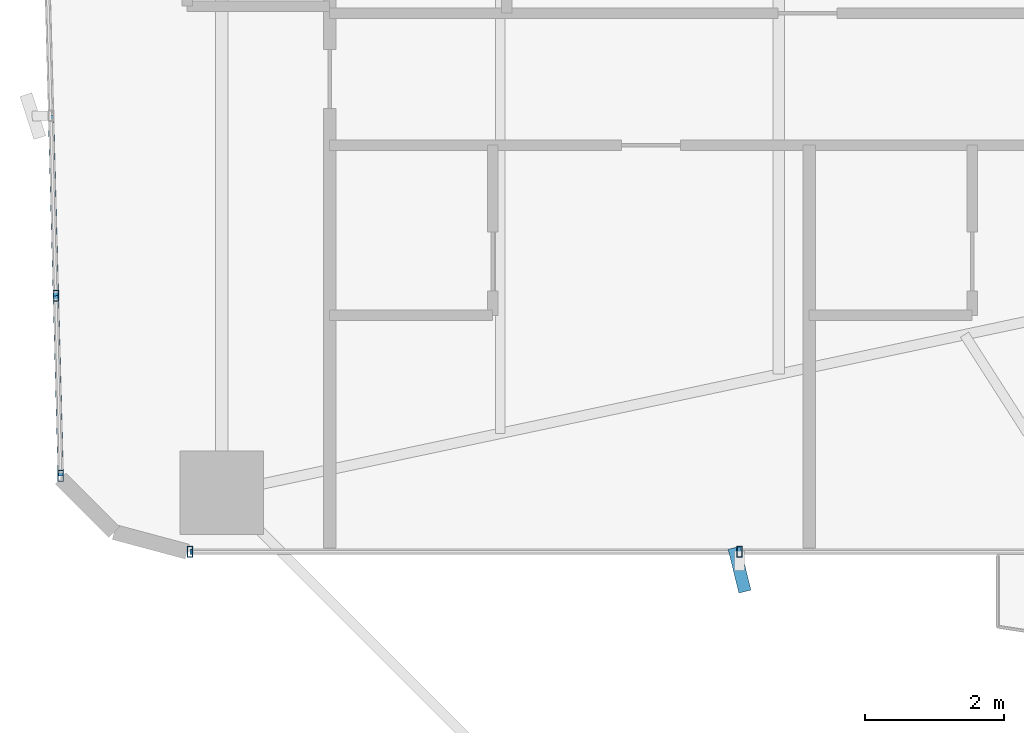
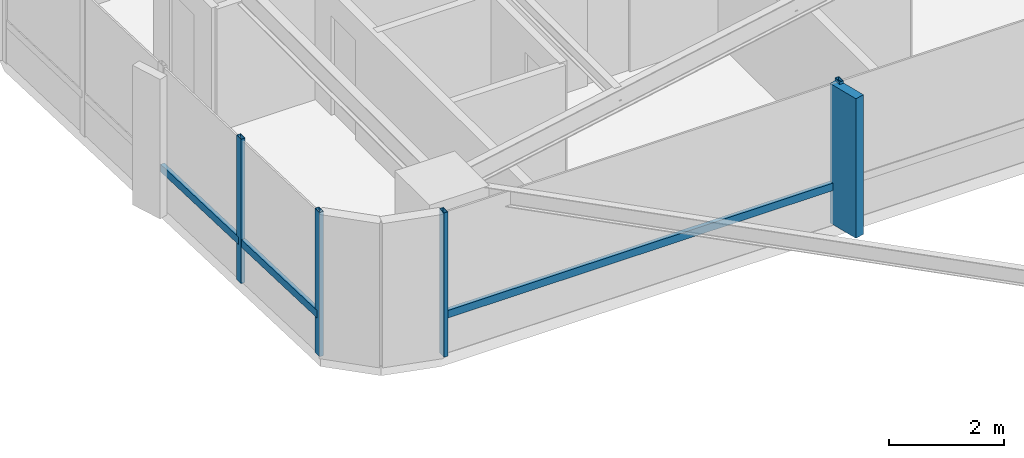
# One storey, part 6 of 26: 8 members, 2 elements without a shape of their own.
"""IFC4 building model written with IfcOpenShell, lengths in metres."""

from ifc_helpers import new_model, si_unit, direction, frame, origin, origin_2d, place, context, subcontext, project, spatial, rectangle, hollow_rectangle, extrude, source, transform, mapped, material, material_profile, profile_set, type_object, element, aggregate, save


model = new_model("IFC4")

# Units and contexts
model_context = context("Model", 3, precision=1e-05, world=origin(), true_north=direction((0.0, 1.0)))
body_context = subcontext(model_context, "Body", "Model", "MODEL_VIEW")
ifc_project = project(units=[si_unit("LENGTHUNIT", "METRE"), si_unit("AREAUNIT", "SQUARE_METRE"), si_unit("VOLUMEUNIT", "CUBIC_METRE"), si_unit("PLANEANGLEUNIT", "RADIAN"), si_unit("MASSUNIT", "GRAM", prefix="KILO")], contexts=[model_context])

# Site, building, storey
site_placement = place(None, origin())
site = spatial("IfcSite", under=ifc_project, at=site_placement, CompositionType="ELEMENT")
building_placement = place(site_placement, origin())
building = spatial("IfcBuilding", under=site, at=building_placement, Name="Sahyath Konkavel Grand Hotel", CompositionType="ELEMENT")
storey_placement = place(building_placement, frame((0.0, 0.0, 43.199951171875)))
storey = spatial("IfcBuildingStorey", under=building, at=storey_placement, Name="L11", CompositionType="ELEMENT", Elevation=43.199951171875)

# Curtain wall, member
ifc_material_1 = material(Name="Anodised Bronze Aluminium & Low-E Glazing", Category="aluminium")
curtain_wall_type = type_object("IfcCurtainWallType", Name="CW-ZONE1", PredefinedType="NOTDEFINED", material=ifc_material_1)
curtain_wall_1_placement = place(storey_placement, origin())
curtain_wall_1 = element("IfcCurtainWall", 1, at=curtain_wall_1_placement, inside=storey, type_object=curtain_wall_type, Name="L11 Unitised Curtain Wall F23", PredefinedType="NOTDEFINED")
ifc_material_2 = material(Name="Anodised Bronze Aluminium", Category="aluminium")
ifc_material_profile_1 = material_profile(ifc_material_2, hollow_rectangle(XDim=0.080078125, YDim=0.159912109375, WallThickness=0.006103515625, at=origin_2d()), Name="RHS 160x80x6")
ifc_profile_set_1 = profile_set([ifc_material_profile_1], Name="Anodised Bronze Aluminium")
member_type_1 = type_object("IfcMemberType", Name="CW-TRN-160", PredefinedType="USERDEFINED", material=ifc_profile_set_1)
shared_shape_1 = source(origin(), body_context, "Body", "SweptSolid", [
    extrude(hollow_rectangle(XDim=0.080078125, YDim=0.159912109375, WallThickness=0.006103515625, at=origin_2d()), origin(), (0.0, 0.0, 1.0), 7.909912109375),
])
member_1_placement = place(storey_placement, frame((-22.659912109375, -6.800048828125, 0.85009765625), z_axis=(1.0, 0.0, 0.0), x_axis=(0.0, 1.0, 0.0)))
member_1 = element("IfcMember", 2, at=member_1_placement, type_object=member_type_1, Name="L11 Curtain Wall Transom F23-0-spandrel", ObjectType="TRANSOM", PredefinedType="USERDEFINED", context=body_context, shape_type="MappedRepresentation", body=[
    mapped(shared_shape_1, transform((0.0, 0.0, 0.0), scale=1.0)),
])

# Curtain wall, members
curtain_wall_2_placement = place(storey_placement, origin())
curtain_wall_2 = element("IfcCurtainWall", 3, at=curtain_wall_2_placement, inside=storey, type_object=curtain_wall_type, Name="L11 Unitised Curtain Wall F20", PredefinedType="NOTDEFINED")
shared_shape_2 = source(origin(), body_context, "Body", "SweptSolid", [
    extrude(hollow_rectangle(XDim=0.080078125, YDim=0.159912109375, WallThickness=0.006103515625, at=origin_2d()), origin(), (0.0, 0.0, 1.0), 2.593505859375),
])
member_2_placement = place(storey_placement, frame((-24.6591796875, -0.52490234375, 0.85009765625), z_axis=(0.02682902444, -0.999640036937, 0.0), x_axis=(0.999640036937, 0.02682902444, 0.0)))
member_2 = element("IfcMember", 4, at=member_2_placement, type_object=member_type_1, Name="L11 Curtain Wall Transom F20-2-spandrel", ObjectType="TRANSOM", PredefinedType="USERDEFINED", context=body_context, shape_type="MappedRepresentation", body=[
    mapped(shared_shape_2, transform((0.0, 0.0, 0.0), scale=1.0)),
])
member_3_placement = place(storey_placement, frame((-24.589599609375, -3.117431640625, 0.85009765625), z_axis=(0.026923093252, -0.999637507825, 0.0), x_axis=(0.999637507825, 0.026923093252, 0.0)))
member_3 = element("IfcMember", 5, at=member_3_placement, type_object=member_type_1, Name="L11 Curtain Wall Transom F20-3-spandrel", ObjectType="TRANSOM", PredefinedType="USERDEFINED", context=body_context, shape_type="MappedRepresentation", body=[
    mapped(shared_shape_2, transform((0.0, 0.0, 0.0), scale=1.0)),
])
ifc_material_profile_2 = material_profile(ifc_material_2, hollow_rectangle(XDim=0.080078125, YDim=0.159912109375, WallThickness=0.006103515625, at=origin_2d()), Name="RHS 160x80x6")
ifc_profile_set_2 = profile_set([ifc_material_profile_2], Name="Anodised Bronze Aluminium")
member_type_2 = type_object("IfcMemberType", Name="CW-MUL-160", PredefinedType="MULLION", material=ifc_profile_set_2)
shared_shape_3 = source(origin(), body_context, "Body", "SweptSolid", [
    extrude(hollow_rectangle(XDim=0.080078125, YDim=0.159912109375, WallThickness=0.006103515625, at=origin_2d()), origin(), (0.0, 0.0, 1.0), 3.050048828125),
])
member_4_placement = place(storey_placement, frame((-24.589599609375, -3.117431640625, 0.0), z_axis=(0.0, 0.0, 1.0), x_axis=(1.0, 0.0, 0.0)))
member_4 = element("IfcMember", 6, at=member_4_placement, type_object=member_type_2, Name="L11 Curtain Wall Mullion F20-3", PredefinedType="MULLION", context=body_context, shape_type="MappedRepresentation", body=[
    mapped(shared_shape_3, transform((0.0, 0.0, 0.0), scale=1.0)),
])
member_5_placement = place(storey_placement, frame((-24.519775390625, -5.7099609375, 0.0), z_axis=(0.0, 0.0, 1.0), x_axis=(1.0, 0.0, 0.0)))
member_5 = element("IfcMember", 7, at=member_5_placement, type_object=member_type_2, Name="L11 Curtain Wall Mullion F20-4", PredefinedType="MULLION", context=body_context, shape_type="MappedRepresentation", body=[
    mapped(shared_shape_3, transform((0.0, 0.0, 0.0), scale=1.0)),
])
aggregate(curtain_wall_2, [member_4, member_5, member_2, member_3])

# Member
member_6_placement = place(storey_placement, frame((-22.659912109375, -6.800048828125, 0.0), z_axis=(0.0, 0.0, 1.0), x_axis=(1.0, 0.0, 0.0)))
member_6 = element("IfcMember", 8, at=member_6_placement, type_object=member_type_2, Name="L11 Curtain Wall Mullion F23-0", PredefinedType="MULLION", context=body_context, shape_type="MappedRepresentation", body=[
    mapped(shared_shape_3, transform((0.0, 0.0, 0.0), scale=1.0)),
])

member_7_placement = place(storey_placement, frame((-14.75, -6.800048828125, 0.0), z_axis=(0.0, 0.0, 1.0), x_axis=(1.0, 0.0, 0.0)))
member_7 = element("IfcMember", 9, at=member_7_placement, type_object=member_type_2, Name="L11 Curtain Wall Mullion F23-1", PredefinedType="MULLION", context=body_context, shape_type="MappedRepresentation", body=[
    mapped(shared_shape_3, transform((0.0, 0.0, 0.0), scale=1.0)),
])

ifc_material_3 = material(Name="Warm Buff Sandstone Cladding on Concrete C50/60", Category="masonry")
ifc_material_profile_3 = material_profile(ifc_material_3, rectangle(XDim=0.179931640625, YDim=0.64990234375, at=origin_2d()), Name="FIN 180x650")
ifc_profile_set_3 = profile_set([ifc_material_profile_3], Name="Warm Buff Sandstone Cladding on Concrete C50/60")
member_type_3 = type_object("IfcMemberType", Name="FIN-SANDSTONE-650", PredefinedType="MULLION", material=ifc_profile_set_3)
shared_shape_4 = source(origin(), body_context, "Body", "SweptSolid", [
    extrude(rectangle(XDim=0.179931640625, YDim=0.64990234375, at=origin_2d()), origin(), (0.0, 0.0, 1.0), 2.949951171875),
])
member_8_placement = place(storey_placement, frame((-14.75, -7.06005859375, 0.050048828125), z_axis=(0.0, 0.0, 1.0), x_axis=(0.970842131618, 0.239719743609, 0.0)))
member_8 = element("IfcMember", 10, at=member_8_placement, type_object=member_type_3, Name="L11 Sandstone Vertical Solar Fin FIN F23-1", PredefinedType="MULLION", context=body_context, shape_type="MappedRepresentation", body=[
    mapped(shared_shape_4, transform((0.0, 0.0, 0.0), scale=1.0)),
])

aggregate(curtain_wall_1, [member_6, member_7, member_8, member_1])

save(model, "model.ifc")
